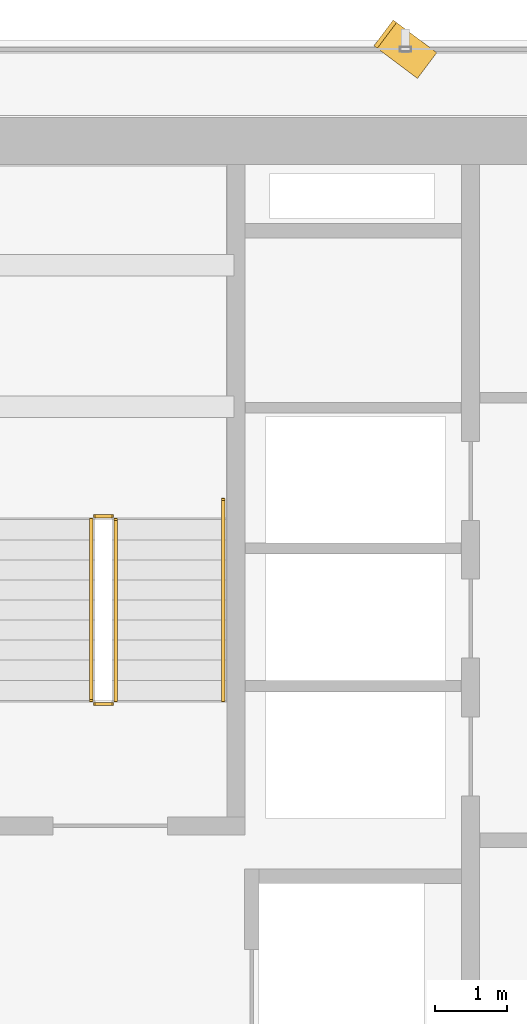
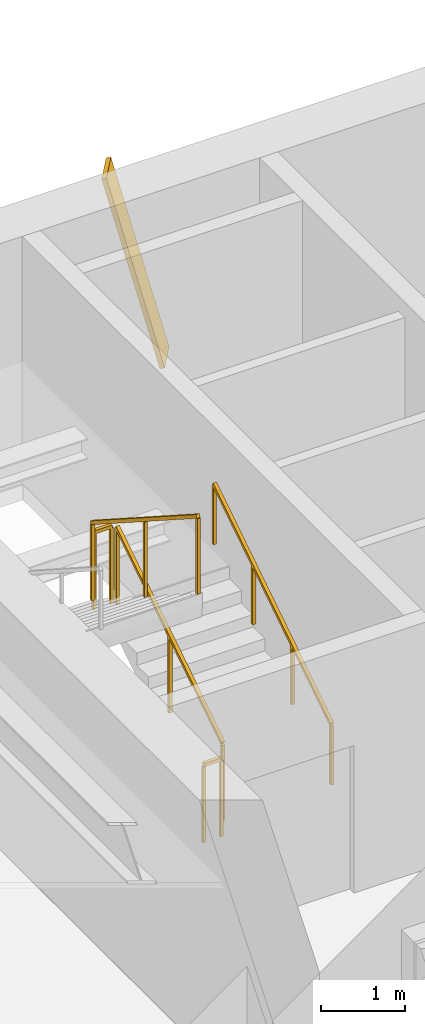
# One storey, part 25 of 28: 5 railings, 1 shading device.
"""IFC4 building model written with IfcOpenShell, lengths in metres."""

from ifc_helpers import new_model, si_unit, direction, frame, origin, origin_2d, place, context, subcontext, project, spatial, rectangle, extrude, source, transform, mapped, material, material_profile, profile_set, type_object, element, save


model = new_model("IFC4")

# Units and contexts
model_context = context("Model", 3, precision=1e-05, world=origin(), true_north=direction((0.0, 1.0)))
body_context = subcontext(model_context, "Body", "Model", "MODEL_VIEW")
ifc_project = project(units=[si_unit("LENGTHUNIT", "METRE"), si_unit("AREAUNIT", "SQUARE_METRE"), si_unit("VOLUMEUNIT", "CUBIC_METRE"), si_unit("PLANEANGLEUNIT", "RADIAN"), si_unit("MASSUNIT", "GRAM", prefix="KILO")], contexts=[model_context])

# Site, building, storey
site_placement = place(None, origin())
site = spatial("IfcSite", under=ifc_project, at=site_placement, CompositionType="ELEMENT")
building_placement = place(site_placement, origin())
building = spatial("IfcBuilding", under=site, at=building_placement, Name="Sumidabori Civic Tower", CompositionType="ELEMENT")
storey_placement = place(building_placement, frame((0.0, 0.0, 182.0)))
storey = spatial("IfcBuildingStorey", under=building, at=storey_placement, Name="L47", CompositionType="ELEMENT", Elevation=182.0)

# Railings
ifc_material_1 = material(Name="Stainless Steel Hairline Finish", Category="steel")
railing_type_1 = type_object("IfcRailingType", Name="RL-HANDRAIL", PredefinedType="HANDRAIL", material=ifc_material_1)
railing_1_placement = place(storey_placement, frame((-11.949951171875, 16.0, 0.179931640625)))
element("IfcRailing", 1, at=railing_1_placement, inside=storey, type_object=railing_type_1, Name="L47 ST-1 stair handrail 1", PredefinedType="HANDRAIL", context=body_context, shape_type="SweptSolid", body=[
    extrude(rectangle(XDim=0.048095703125, YDim=0.048095703125, at=origin_2d()), frame((0.0, 0.0, 0.8759765625), z_axis=(0.0, 0.84064222762, 0.54159084662), x_axis=(-1.0, 0.0, 0.0)), (0.0, 0.0, 1.0), 3.330810546875),
    extrude(rectangle(XDim=0.0419921875, YDim=0.0419921875, at=origin_2d()), origin(), (0.0, 0.0, 1.0), 0.851806640625),
    extrude(rectangle(XDim=0.0419921875, YDim=0.0419921875, at=origin_2d()), frame((0.0, 0.933349609375, 0.601318359375)), (0.0, 0.0, 1.0), 0.851806640625),
    extrude(rectangle(XDim=0.0419921875, YDim=0.0419921875, at=origin_2d()), frame((0.0, 1.86669921875, 1.20263671875)), (0.0, 0.0, 1.0), 0.851806640625),
    extrude(rectangle(XDim=0.0419921875, YDim=0.0419921875, at=origin_2d()), frame((0.0, 2.800048828125, 1.803955078125)), (0.0, 0.0, 1.0), 0.851806640625),
])
ifc_material_2 = material(Name="Steel SN490", Category="steel")
railing_type_2 = type_object("IfcRailingType", Name="RL-STAIR-GUARD", PredefinedType="GUARDRAIL", material=ifc_material_2)
railing_2_placement = place(storey_placement, frame((-13.449951171875, 16.0, 0.179931640625)))
element("IfcRailing", 2, at=railing_2_placement, inside=storey, type_object=railing_type_2, Name="L47 ST-1 stair guard 1", PredefinedType="GUARDRAIL", context=body_context, shape_type="SweptSolid", body=[
    extrude(rectangle(XDim=0.048095703125, YDim=0.048095703125, at=origin_2d()), frame((0.0, 0.0, 1.1259765625), z_axis=(0.0, 0.841162588446, 0.540782303519), x_axis=(-1.0, 0.0, 0.0)), (0.0, 0.0, 1.0), 2.995849609375),
    extrude(rectangle(XDim=0.0419921875, YDim=0.0419921875, at=origin_2d()), origin(), (0.0, 0.0, 1.0), 1.101806640625),
    extrude(rectangle(XDim=0.0419921875, YDim=0.0419921875, at=origin_2d()), frame((0.0, 1.260009765625, 0.81005859375)), (0.0, 0.0, 1.0), 1.101806640625),
    extrude(rectangle(XDim=0.0419921875, YDim=0.0419921875, at=origin_2d()), frame((0.0, 2.52001953125, 1.6201171875)), (0.0, 0.0, 1.0), 1.101806640625),
])
railing_3_placement = place(storey_placement, frame((-13.5, 18.570068359375, 1.800048828125)))
element("IfcRailing", 3, at=railing_3_placement, inside=storey, type_object=railing_type_2, Name="L47 ST-1 stair guard 2", PredefinedType="GUARDRAIL", context=body_context, shape_type="SweptSolid", body=[
    extrude(rectangle(XDim=0.048095703125, YDim=0.048095703125, at=origin_2d()), frame((0.0, 0.0, 1.1259765625), z_axis=(-1.0, 0.0, 0.0), x_axis=(0.0, -1.0, 0.0)), (0.0, 0.0, 1.0), 0.239990234375),
    extrude(rectangle(XDim=0.0419921875, YDim=0.0419921875, at=origin_2d()), origin(), (0.0, 0.0, 1.0), 1.101806640625),
    extrude(rectangle(XDim=0.0419921875, YDim=0.0419921875, at=origin_2d()), frame((-0.239990234375, 0.0, 0.0)), (0.0, 0.0, 1.0), 1.101806640625),
])
railing_4_placement = place(storey_placement, frame((-13.7900390625, 18.52001953125, 1.97998046875)))
element("IfcRailing", 4, at=railing_4_placement, inside=storey, type_object=railing_type_2, Name="L47 ST-1 stair guard 3", PredefinedType="GUARDRAIL", context=body_context, shape_type="SweptSolid", body=[
    extrude(rectangle(XDim=0.048095703125, YDim=0.048095703125, at=origin_2d()), frame((0.0, 0.0, 1.1259765625), z_axis=(0.0, -0.841162588446, 0.540782303519), x_axis=(1.0, 0.0, 0.0)), (0.0, 0.0, 1.0), 2.995849609375),
    extrude(rectangle(XDim=0.0419921875, YDim=0.0419921875, at=origin_2d()), origin(), (0.0, 0.0, 1.0), 1.101806640625),
    extrude(rectangle(XDim=0.0419921875, YDim=0.0419921875, at=origin_2d()), frame((0.0, -1.260009765625, 0.81005859375)), (0.0, 0.0, 1.0), 1.101806640625),
    extrude(rectangle(XDim=0.0419921875, YDim=0.0419921875, at=origin_2d()), frame((0.0, -2.52001953125, 1.6201171875)), (0.0, 0.0, 1.0), 1.101806640625),
])
railing_5_placement = place(storey_placement, frame((-13.5, 15.949951171875, 0.0)))
element("IfcRailing", 5, at=railing_5_placement, inside=storey, type_object=railing_type_2, Name="L47 ST-1 stair guard 4", PredefinedType="GUARDRAIL", context=body_context, shape_type="SweptSolid", body=[
    extrude(rectangle(XDim=0.048095703125, YDim=0.048095703125, at=origin_2d()), frame((0.0, 0.0, 1.1259765625), z_axis=(-1.0, 0.0, 0.0), x_axis=(0.0, -1.0, 0.0)), (0.0, 0.0, 1.0), 0.239990234375),
    extrude(rectangle(XDim=0.0419921875, YDim=0.0419921875, at=origin_2d()), origin(), (0.0, 0.0, 1.0), 1.101806640625),
    extrude(rectangle(XDim=0.0419921875, YDim=0.0419921875, at=origin_2d()), frame((-0.239990234375, 0.0, 0.0)), (0.0, 0.0, 1.0), 1.101806640625),
])

# Shading device
ifc_material_3 = material(Name="Anodised Bronze Aluminium AW-6063-T6", Category="aluminium")
ifc_material_profile = material_profile(ifc_material_3, rectangle(XDim=0.06005859375, YDim=0.449951171875, at=origin_2d()), Name="BRONZE FIN 450x60")
ifc_profile_set = profile_set([ifc_material_profile], Name="Anodised Bronze Aluminium AW-6063-T6")
shading_device_type = type_object("IfcShadingDeviceType", Name="SH-FIN-450", PredefinedType="USERDEFINED", material=ifc_profile_set)
shared_shape = source(origin(), body_context, "Body", "SweptSolid", [
    extrude(rectangle(XDim=0.06005859375, YDim=0.449951171875, at=origin_2d()), origin(), (0.0, 0.0, 1.0), 2.789306640625),
])
shading_device_placement = place(storey_placement, frame((-9.1298828125, 24.8701171875, 0.02001953125), z_axis=(-0.200794136335, 0.150551837182, 0.967995794998), x_axis=(0.774477654896, -0.580689436103, 0.250966413819)))
element("IfcShadingDevice", 6, at=shading_device_placement, inside=storey, type_object=shading_device_type, Name="Bronze Anodised Diagonal Fin L47-03", ObjectType="FIN", PredefinedType="USERDEFINED", context=body_context, shape_type="MappedRepresentation", body=[
    mapped(shared_shape, transform((0.0, 0.0, 0.0), x_axis=(1.0, 0.0, 0.0), y_axis=(0.0, 1.0, 0.0), z_axis=(0.0, 0.0, 1.0), scale=1.0)),
])

save(model, "model.ifc")
